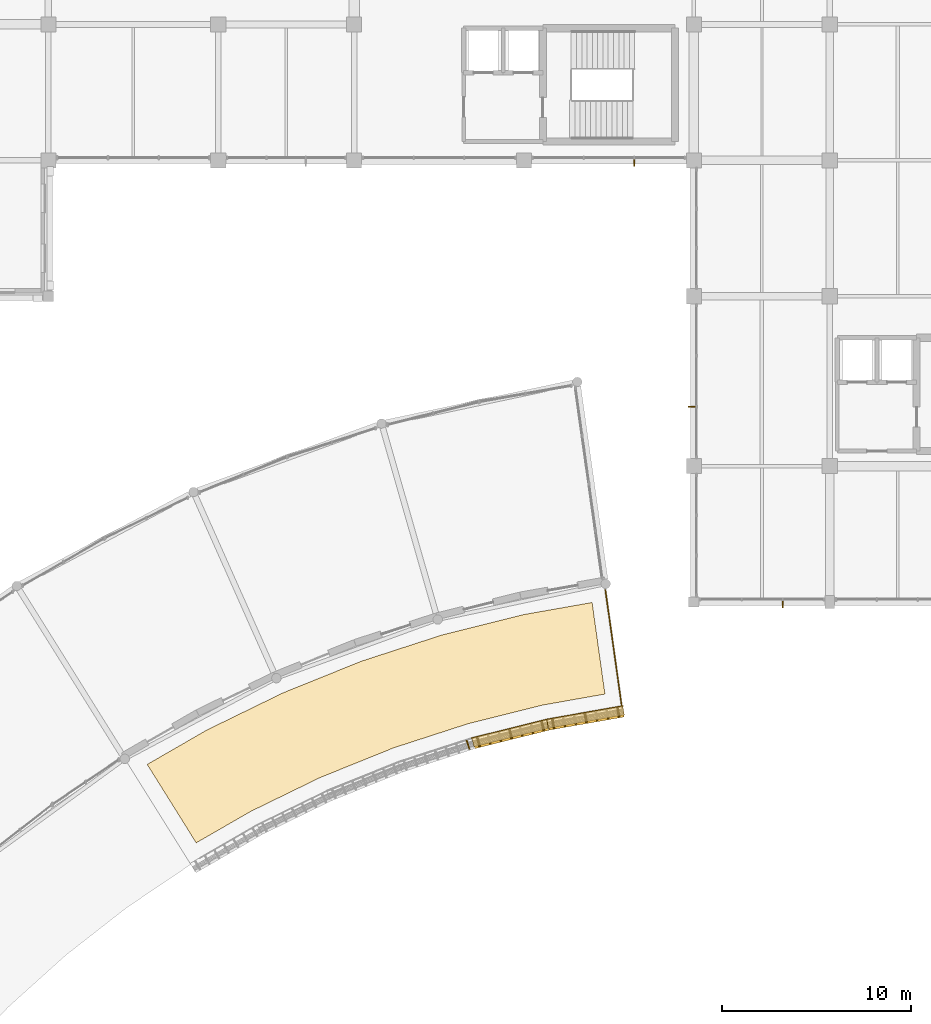
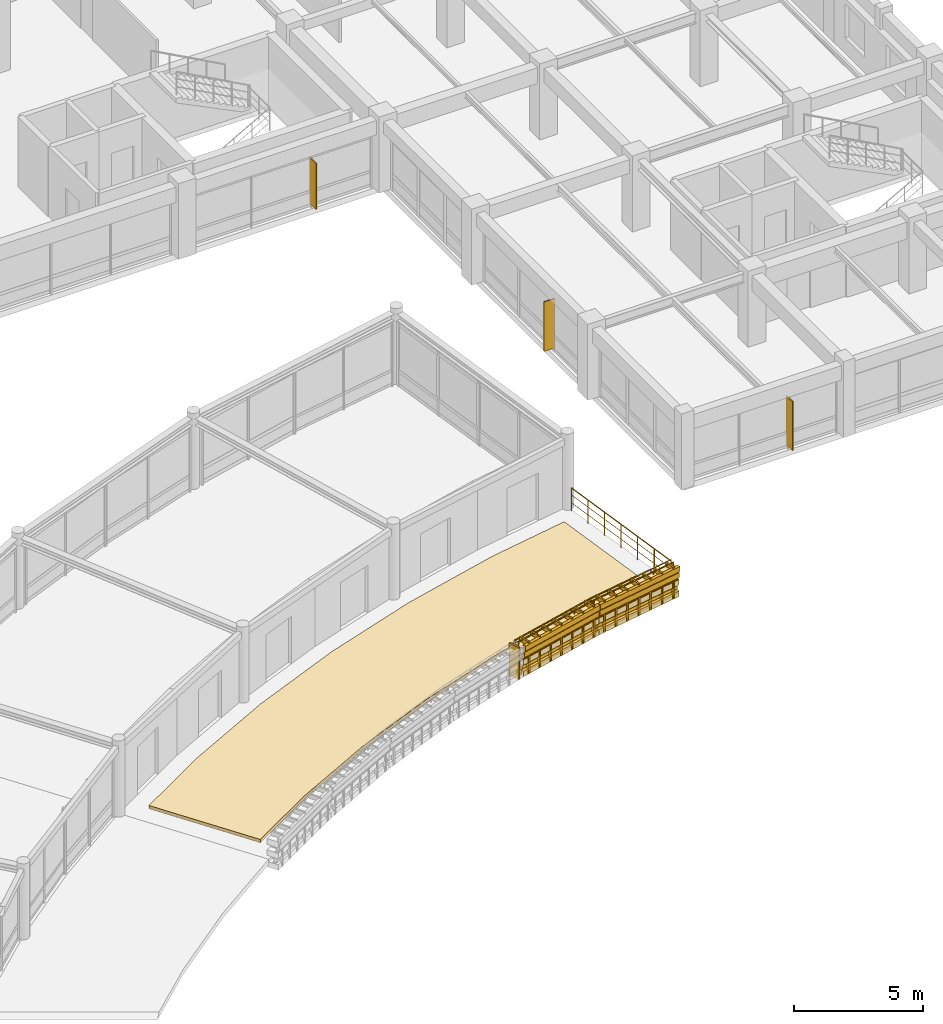
# One storey, part 73 of 74: 28 shading devices, 14 coverings, 5 railings.
"""IFC4 building model written with IfcOpenShell, lengths in metres."""

from ifc_helpers import new_model, si_unit, direction, frame, frame_2d, origin, origin_2d, place, context, subcontext, project, spatial, polyline, rectangle, circle, outline, extrude, material, layer, layer_set, type_object, element, save


model = new_model("IFC4")

# Units and contexts
model_context = context("Model", 3, precision=1e-05, world=origin(), true_north=direction((0.0, 1.0)))
body_context = subcontext(model_context, "Body", "Model", "MODEL_VIEW")
ifc_project = project(units=[si_unit("LENGTHUNIT", "METRE"), si_unit("AREAUNIT", "SQUARE_METRE"), si_unit("VOLUMEUNIT", "CUBIC_METRE"), si_unit("PLANEANGLEUNIT", "RADIAN"), si_unit("MASSUNIT", "GRAM", prefix="KILO")], contexts=[model_context])

# Site, building, storey
site_placement = place(None, origin())
site = spatial("IfcSite", under=ifc_project, at=site_placement, CompositionType="ELEMENT")
building_placement = place(site_placement, origin())
building = spatial("IfcBuilding", under=site, at=building_placement, Name="Clarverna Civic Hall", CompositionType="ELEMENT")
storey_placement = place(building_placement, frame((0.0, 0.0, 9.60009765625)))
storey = spatial("IfcBuildingStorey", under=building, at=storey_placement, Name="L02", CompositionType="ELEMENT", Elevation=9.60009765625)

# Coverings
ifc_material_1 = material(Name="Thermally Modified Teak Wood Slat Fascia Cladding", Category="wood")
ifc_layer_1 = layer(ifc_material_1, 0.080078125)
ifc_layer_set_1 = layer_set([ifc_layer_1], Name="Thermally Modified Teak Wood Slat Fascia Cladding")
covering_type_1 = type_object("IfcCoveringType", Name="CV-CL1", PredefinedType="CLADDING", material=ifc_layer_set_1)
for number, where, z_axis, x_axis, name in (
    (1, (143.875732421875, 65.852294921875, -0.380126953125), (0.0, 0.0, 1.0), (-0.984809986875, -0.173635508323, 0.0), "CV-CL1-093"),
    (2, (143.875732421875, 65.852294921875, 0.159912109375), (0.0, 0.0, 1.0), (-0.984809986875, -0.173635508323, 0.0), "CV-CL1-094"),
):
    element("IfcCovering", number, at=place(storey_placement, frame(where, z_axis=z_axis, x_axis=x_axis)), inside=storey, type_object=covering_type_1, Name=name, PredefinedType="CLADDING", context=body_context, shape_type="SweptSolid", body=[
        extrude(rectangle(XDim=4.090087890625, YDim=0.5, at=frame_2d((2.044921875, 0.0))), origin(), (0.0, 0.0, 1.0), 0.260009765625),
    ])
covering_1_placement = place(storey_placement, frame((143.875732421875, 65.852294921875, 0.679931640625), z_axis=(0.0, 0.0, 1.0), x_axis=(-0.984809986875, -0.173635508323, 0.0)))
element("IfcCovering", 3, at=covering_1_placement, inside=storey, type_object=covering_type_1, Name="CV-CL1-095", PredefinedType="CLADDING", context=body_context, shape_type="SweptSolid", body=[
    extrude(rectangle(XDim=4.090087890625, YDim=0.5, at=frame_2d((2.044921875, 0.0))), origin(), (0.0, 0.0, 1.0), 0.280029296875),
])
for number, where, z_axis, x_axis, name in (
    (4, (143.5498046875, 66.018310546875, -0.360107421875), (0.0, 0.0, 1.0), (0.173813186416, -0.984778643263, 0.0), "CV-CL1-096"),
    (5, (141.823486328125, 65.7138671875, -0.360107421875), (0.0, 0.0, 1.0), (0.173813186416, -0.984778643263, 0.0), "CV-CL1-097"),
    (6, (140.09716796875, 65.409423828125, -0.360107421875), (0.0, 0.0, 1.0), (0.173813186416, -0.984778643263, 0.0), "CV-CL1-098"),
):
    element("IfcCovering", number, at=place(storey_placement, frame(where, z_axis=z_axis, x_axis=x_axis)), inside=storey, type_object=covering_type_1, Name=name, PredefinedType="CLADDING", context=body_context, shape_type="SweptSolid", body=[
        extrude(rectangle(XDim=0.5, YDim=0.070068359375, at=frame_2d((0.25, 0.0))), origin(), (0.0, 0.0, 1.0), 1.52001953125),
    ])
for number, where, z_axis, x_axis, name in (
    (7, (139.85986328125, 65.144775390625, -0.380126953125), (0.0, 0.0, 1.0), (-0.970296791304, -0.241917623964, 0.0), "CV-CL1-099"),
    (8, (139.85986328125, 65.144775390625, 0.159912109375), (0.0, 0.0, 1.0), (-0.970296791304, -0.241917623964, 0.0), "CV-CL1-100"),
):
    element("IfcCovering", number, at=place(storey_placement, frame(where, z_axis=z_axis, x_axis=x_axis)), inside=storey, type_object=covering_type_1, Name=name, PredefinedType="CLADDING", context=body_context, shape_type="SweptSolid", body=[
        extrude(rectangle(XDim=4.09033203125, YDim=0.5, at=frame_2d((2.045166015625, 0.0))), origin(), (0.0, 0.0, 1.0), 0.260009765625),
    ])
covering_2_placement = place(storey_placement, frame((139.85986328125, 65.144775390625, 0.679931640625), z_axis=(0.0, 0.0, 1.0), x_axis=(-0.970296791304, -0.241917623964, 0.0)))
element("IfcCovering", 9, at=covering_2_placement, inside=storey, type_object=covering_type_1, Name="CV-CL1-101", PredefinedType="CLADDING", context=body_context, shape_type="SweptSolid", body=[
    extrude(rectangle(XDim=4.09033203125, YDim=0.5, at=frame_2d((2.045166015625, 0.0))), origin(), (0.0, 0.0, 1.0), 0.280029296875),
])
for number, where, z_axis, x_axis, name in (
    (10, (139.523193359375, 65.28759765625, -0.360107421875), (0.0, 0.0, 1.0), (0.242190935722, -0.970228607419, 0.0), "CV-CL1-102"),
    (11, (137.822509765625, 64.863525390625, -0.360107421875), (0.0, 0.0, 1.0), (0.241731207299, -0.970343250308, 0.0), "CV-CL1-103"),
    (12, (136.12158203125, 64.439453125, -0.360107421875), (0.0, 0.0, 1.0), (0.241731207299, -0.970343250308, 0.0), "CV-CL1-104"),
):
    element("IfcCovering", number, at=place(storey_placement, frame(where, z_axis=z_axis, x_axis=x_axis)), inside=storey, type_object=covering_type_1, Name=name, PredefinedType="CLADDING", context=body_context, shape_type="SweptSolid", body=[
        extrude(rectangle(XDim=0.5, YDim=0.070068359375, at=frame_2d((0.25, 0.0))), origin(), (0.0, 0.0, 1.0), 1.52001953125),
    ])
covering_3_placement = place(storey_placement, frame((135.5576171875, 64.277587890625, -0.360107421875), z_axis=(0.0, 0.0, 1.0), x_axis=(0.308743619968, -0.951145297591, 0.0)))
element("IfcCovering", 13, at=covering_3_placement, inside=storey, type_object=covering_type_1, Name="CV-CL1-108", PredefinedType="CLADDING", context=body_context, shape_type="SweptSolid", body=[
    extrude(rectangle(XDim=0.499755859375, YDim=0.070068359375, at=frame_2d((0.25, 0.0))), origin(), (0.0, 0.0, 1.0), 1.52001953125),
])
ifc_material_2 = material(Name="Planted Civic Terrace Vegetated Substrate and Drainage Build-Up")
ifc_layer_2 = layer(ifc_material_2, 0.25)
ifc_layer_set_2 = layer_set([ifc_layer_2], Name="Planted Civic Terrace Vegetated Substrate and Drainage Build-Up")
covering_type_2 = type_object("IfcCoveringType", Name="CV-RF1", PredefinedType="ROOFING", material=ifc_layer_set_2)
covering_4_placement = place(storey_placement, frame((0.0, 0.0, -0.02001953125)))
element("IfcCovering", 14, at=covering_4_placement, inside=storey, type_object=covering_type_2, Name="CV-RF1-008", PredefinedType="ROOFING", context=body_context, shape_type="SweptSolid", body=[
    extrude(outline(polyline([(131.69482421875, 63.87451171875), (127.79248046875, 62.2978515625), (124.116455078125, 60.504638671875), (121.232666015625, 58.842041015625), (118.63671875, 62.99658203125), (121.789794921875, 64.817138671875), (125.82666015625, 66.7861328125), (129.9912109375, 68.46875), (134.2626953125, 69.856689453125), (138.62109375, 70.943359375), (142.206787109375, 71.57568359375), (142.888427734375, 66.72412109375), (139.61083984375, 66.144287109375), (135.64208984375, 65.15478515625), (131.69482421875, 63.87451171875)])), origin(), (0.0, 0.0, 1.0), 0.159912109375),
])

# Railings
ifc_material_3 = material(Name="Anodised Bronze Architectural Balustrade")
railing_type_1 = type_object("IfcRailingType", Name="GR-01", PredefinedType="BALUSTRADE", material=ifc_material_3)
railing_1_placement = place(storey_placement, frame((142.910888671875, 72.239990234375, 0.0)))
element("IfcRailing", 15, at=railing_1_placement, inside=storey, type_object=railing_type_1, Name="GR-01-016", PredefinedType="BALUSTRADE", context=body_context, shape_type="SweptSolid", body=[
    extrude(circle(Radius=0.02392578125, at=origin_2d()), frame((0.0, 0.0, 1.09619140625), z_axis=(0.139216708696, -0.990261939095, 0.0), x_axis=(0.990261939095, 0.139216708696, 0.0)), (0.0, 0.0, 1.0), 6.27978515625),
    extrude(circle(Radius=0.011962890625, at=origin_2d()), frame((0.0, 0.0, 0.39208984375), z_axis=(0.139216708696, -0.990261939095, 0.0), x_axis=(0.990261939095, 0.139216708696, 0.0)), (0.0, 0.0, 1.0), 6.27978515625),
    extrude(circle(Radius=0.011962890625, at=origin_2d()), frame((0.0, 0.0, 0.76171875), z_axis=(0.139216708696, -0.990261939095, 0.0), x_axis=(0.990261939095, 0.139216708696, 0.0)), (0.0, 0.0, 1.0), 6.27978515625),
    extrude(circle(Radius=0.02099609375, at=origin_2d()), origin(), (0.0, 0.0, 1.0), 1.072021484375),
    extrude(circle(Radius=0.02099609375, at=origin_2d()), frame((0.145751953125, -1.036376953125, 0.0)), (0.0, 0.0, 1.0), 1.072021484375),
    extrude(circle(Radius=0.02099609375, at=origin_2d()), frame((0.29150390625, -2.072998046875, 0.0)), (0.0, 0.0, 1.0), 1.072021484375),
    extrude(circle(Radius=0.02099609375, at=origin_2d()), frame((0.43701171875, -3.109375, 0.0)), (0.0, 0.0, 1.0), 1.072021484375),
    extrude(circle(Radius=0.02099609375, at=origin_2d()), frame((0.582763671875, -4.145751953125, 0.0)), (0.0, 0.0, 1.0), 1.072021484375),
    extrude(circle(Radius=0.02099609375, at=origin_2d()), frame((0.728515625, -5.182373046875, 0.0)), (0.0, 0.0, 1.0), 1.072021484375),
    extrude(circle(Radius=0.02099609375, at=origin_2d()), frame((0.874267578125, -6.21875, 0.0)), (0.0, 0.0, 1.0), 1.072021484375),
])
railing_2_placement = place(storey_placement, frame((143.833984375, 66.0888671875, 0.0)))
element("IfcRailing", 16, at=railing_2_placement, inside=storey, type_object=railing_type_1, Name="GR-01-017", PredefinedType="BALUSTRADE", context=body_context, shape_type="SweptSolid", body=[
    extrude(circle(Radius=0.02392578125, at=origin_2d()), frame((0.0, 0.0, 1.09619140625), z_axis=(-0.984799778569, -0.173693396911, 0.0), x_axis=(0.173693396911, -0.984799778569, 0.0)), (0.0, 0.0, 1.0), 4.09033203125),
    extrude(circle(Radius=0.011962890625, at=origin_2d()), frame((0.0, 0.0, 0.39208984375), z_axis=(-0.984799778569, -0.173693396911, 0.0), x_axis=(0.173693396911, -0.984799778569, 0.0)), (0.0, 0.0, 1.0), 4.09033203125),
    extrude(circle(Radius=0.011962890625, at=origin_2d()), frame((0.0, 0.0, 0.76171875), z_axis=(-0.984799778569, -0.173693396911, 0.0), x_axis=(0.173693396911, -0.984799778569, 0.0)), (0.0, 0.0, 1.0), 4.09033203125),
    extrude(circle(Radius=0.02099609375, at=origin_2d()), origin(), (0.0, 0.0, 1.0), 1.072021484375),
    extrude(circle(Radius=0.02099609375, at=origin_2d()), frame((-1.007080078125, -0.177734375, 0.0)), (0.0, 0.0, 1.0), 1.072021484375),
    extrude(circle(Radius=0.02099609375, at=origin_2d()), frame((-2.01416015625, -0.355224609375, 0.0)), (0.0, 0.0, 1.0), 1.072021484375),
    extrude(circle(Radius=0.02099609375, at=origin_2d()), frame((-3.02099609375, -0.53271484375, 0.0)), (0.0, 0.0, 1.0), 1.072021484375),
    extrude(circle(Radius=0.02099609375, at=origin_2d()), frame((-4.028076171875, -0.71044921875, 0.0)), (0.0, 0.0, 1.0), 1.072021484375),
])
railing_3_placement = place(storey_placement, frame((139.802001953125, 65.377685546875, 0.0)))
element("IfcRailing", 17, at=railing_3_placement, inside=storey, type_object=railing_type_1, Name="GR-01-018", PredefinedType="BALUSTRADE", context=body_context, shape_type="SweptSolid", body=[
    extrude(circle(Radius=0.02392578125, at=origin_2d()), frame((0.0, 0.0, 1.09619140625), z_axis=(-0.970296791304, -0.241917623964, 0.0), x_axis=(0.241917623964, -0.970296791304, 0.0)), (0.0, 0.0, 1.0), 4.09033203125),
    extrude(circle(Radius=0.011962890625, at=origin_2d()), frame((0.0, 0.0, 0.39208984375), z_axis=(-0.970296791304, -0.241917623964, 0.0), x_axis=(0.241917623964, -0.970296791304, 0.0)), (0.0, 0.0, 1.0), 4.09033203125),
    extrude(circle(Radius=0.011962890625, at=origin_2d()), frame((0.0, 0.0, 0.76171875), z_axis=(-0.970296791304, -0.241917623964, 0.0), x_axis=(0.241917623964, -0.970296791304, 0.0)), (0.0, 0.0, 1.0), 4.09033203125),
    extrude(circle(Radius=0.02099609375, at=origin_2d()), origin(), (0.0, 0.0, 1.0), 1.072021484375),
    extrude(circle(Radius=0.02099609375, at=origin_2d()), frame((-0.9921875, -0.247314453125, 0.0)), (0.0, 0.0, 1.0), 1.072021484375),
    extrude(circle(Radius=0.02099609375, at=origin_2d()), frame((-1.984375, -0.49462890625, 0.0)), (0.0, 0.0, 1.0), 1.072021484375),
    extrude(circle(Radius=0.02099609375, at=origin_2d()), frame((-2.9765625, -0.7421875, 0.0)), (0.0, 0.0, 1.0), 1.072021484375),
    extrude(circle(Radius=0.02099609375, at=origin_2d()), frame((-3.96875, -0.989501953125, 0.0)), (0.0, 0.0, 1.0), 1.072021484375),
])
ifc_material_4 = material(Name="Thermally Modified Teak Wood Slat Fascia Rail", Category="wood")
railing_type_2 = type_object("IfcRailingType", Name="GR-03", PredefinedType="BALUSTRADE", material=ifc_material_4)
railing_4_placement = place(storey_placement, frame((143.835693359375, 65.90625, 0.0)))
element("IfcRailing", 18, at=railing_4_placement, inside=storey, type_object=railing_type_2, Name="GR-03-006", PredefinedType="BALUSTRADE", context=body_context, shape_type="SweptSolid", body=[
    extrude(circle(Radius=0.02392578125, at=origin_2d()), frame((0.0, 0.0, 1.09619140625), z_axis=(-0.984803067402, -0.173674748985, 0.0), x_axis=(0.173674748985, -0.984803067402, 0.0)), (0.0, 0.0, 1.0), 4.0302734375),
    extrude(circle(Radius=0.011962890625, at=origin_2d()), frame((0.0, 0.0, 0.39208984375), z_axis=(-0.984803067402, -0.173674748985, 0.0), x_axis=(0.173674748985, -0.984803067402, 0.0)), (0.0, 0.0, 1.0), 4.0302734375),
    extrude(circle(Radius=0.011962890625, at=origin_2d()), frame((0.0, 0.0, 0.76171875), z_axis=(-0.984803067402, -0.173674748985, 0.0), x_axis=(0.173674748985, -0.984803067402, 0.0)), (0.0, 0.0, 1.0), 4.0302734375),
    extrude(circle(Radius=0.02099609375, at=origin_2d()), origin(), (0.0, 0.0, 1.0), 1.072021484375),
    extrude(circle(Radius=0.02099609375, at=origin_2d()), frame((-0.9921875, -0.175048828125, 0.0)), (0.0, 0.0, 1.0), 1.072021484375),
    extrude(circle(Radius=0.02099609375, at=origin_2d()), frame((-1.984375, -0.35009765625, 0.0)), (0.0, 0.0, 1.0), 1.072021484375),
    extrude(circle(Radius=0.02099609375, at=origin_2d()), frame((-2.976806640625, -0.52490234375, 0.0)), (0.0, 0.0, 1.0), 1.072021484375),
    extrude(circle(Radius=0.02099609375, at=origin_2d()), frame((-3.968994140625, -0.699951171875, 0.0)), (0.0, 0.0, 1.0), 1.072021484375),
])
railing_5_placement = place(storey_placement, frame((139.81640625, 65.19580078125, 0.0)))
element("IfcRailing", 19, at=railing_5_placement, inside=storey, type_object=railing_type_2, Name="GR-03-007", PredefinedType="BALUSTRADE", context=body_context, shape_type="SweptSolid", body=[
    extrude(circle(Radius=0.02392578125, at=origin_2d()), frame((0.0, 0.0, 1.09619140625), z_axis=(-0.970291971588, -0.241936954334, 0.0), x_axis=(0.241936954334, -0.970291971588, 0.0)), (0.0, 0.0, 1.0), 4.0302734375),
    extrude(circle(Radius=0.011962890625, at=origin_2d()), frame((0.0, 0.0, 0.39208984375), z_axis=(-0.970291971588, -0.241936954334, 0.0), x_axis=(0.241936954334, -0.970291971588, 0.0)), (0.0, 0.0, 1.0), 4.0302734375),
    extrude(circle(Radius=0.011962890625, at=origin_2d()), frame((0.0, 0.0, 0.76171875), z_axis=(-0.970291971588, -0.241936954334, 0.0), x_axis=(0.241936954334, -0.970291971588, 0.0)), (0.0, 0.0, 1.0), 4.0302734375),
    extrude(circle(Radius=0.02099609375, at=origin_2d()), origin(), (0.0, 0.0, 1.0), 1.072021484375),
    extrude(circle(Radius=0.02099609375, at=origin_2d()), frame((-0.9775390625, -0.24365234375, 0.0)), (0.0, 0.0, 1.0), 1.072021484375),
    extrude(circle(Radius=0.02099609375, at=origin_2d()), frame((-1.955322265625, -0.487548828125, 0.0)), (0.0, 0.0, 1.0), 1.072021484375),
    extrude(circle(Radius=0.02099609375, at=origin_2d()), frame((-2.93310546875, -0.7314453125, 0.0)), (0.0, 0.0, 1.0), 1.072021484375),
    extrude(circle(Radius=0.02099609375, at=origin_2d()), frame((-3.91064453125, -0.97509765625, 0.0)), (0.0, 0.0, 1.0), 1.072021484375),
])

# Shading devices
ifc_material_5 = material(Name="Anodised Bronze Architectural Solar Fin", Category="aluminium")
ifc_layer_3 = layer(ifc_material_5, 0.054931640625)
ifc_layer_set_3 = layer_set([ifc_layer_3], Name="Anodised Bronze Architectural Solar Fin")
shading_device_type_1 = type_object("IfcShadingDeviceType", Name="SD-FN1", PredefinedType="USERDEFINED", material=ifc_layer_set_3)
shading_device_1_placement = place(storey_placement, frame((152.30078125, 71.77001953125, 0.14990234375), z_axis=(0.0, 0.0, 1.0), x_axis=(0.0, -1.0, 0.0)))
element("IfcShadingDevice", 20, at=shading_device_1_placement, inside=storey, type_object=shading_device_type_1, Name="SD-FN1-023", ObjectType="FIN", PredefinedType="USERDEFINED", context=body_context, shape_type="SweptSolid", body=[
    extrude(rectangle(XDim=0.47998046875, YDim=0.054931640625, at=frame_2d((0.239990234375, 0.0))), origin(), (0.0, 0.0, 1.0), 2.320068359375),
])
shading_device_2_placement = place(storey_placement, frame((147.77001953125, 81.957763671875, 0.14990234375), z_axis=(0.0, 0.0, 1.0), x_axis=(-1.0, 0.0, 0.0)))
element("IfcShadingDevice", 21, at=shading_device_2_placement, inside=storey, type_object=shading_device_type_1, Name="SD-FN1-024", ObjectType="FIN", PredefinedType="USERDEFINED", context=body_context, shape_type="SweptSolid", body=[
    extrude(rectangle(XDim=0.47998046875, YDim=0.054931640625, at=frame_2d((0.239990234375, 0.0))), origin(), (0.0, 0.0, 1.0), 2.340087890625),
])
shading_device_3_placement = place(storey_placement, frame((144.4423828125, 95.169921875, 0.14990234375), z_axis=(0.0, 0.0, 1.0), x_axis=(0.0, -1.0, 0.0)))
element("IfcShadingDevice", 22, at=shading_device_3_placement, inside=storey, type_object=shading_device_type_1, Name="SD-FN1-025", ObjectType="FIN", PredefinedType="USERDEFINED", context=body_context, shape_type="SweptSolid", body=[
    extrude(rectangle(XDim=0.47998046875, YDim=0.054931640625, at=frame_2d((0.239990234375, 0.0))), origin(), (0.0, 0.0, 1.0), 2.169921875),
])
ifc_material_6 = material(Name="Thermally Modified Teak Wood Slats", Category="wood")
ifc_layer_4 = layer(ifc_material_6, 0.06494140625)
ifc_layer_set_4 = layer_set([ifc_layer_4], Name="Thermally Modified Teak Wood Slats")
shading_device_type_2 = type_object("IfcShadingDeviceType", Name="SD-WD1", PredefinedType="JALOUSIE", material=ifc_layer_set_4)
shading_device_4_placement = place(storey_placement, frame((143.853271484375, 65.807861328125, -0.360107421875), z_axis=(0.0, 0.0, 1.0), x_axis=(-0.984804894423, -0.173664388751, 0.0)))
element("IfcShadingDevice", 23, at=shading_device_4_placement, inside=storey, type_object=shading_device_type_2, Name="SD-WD1-067", PredefinedType="JALOUSIE", context=body_context, shape_type="SweptSolid", body=[
    extrude(rectangle(XDim=4.030517578125, YDim=0.139892578125, at=frame_2d((2.01513671875, 0.0))), origin(), (0.0, 0.0, 1.0), 0.239990234375),
])
for number, where, z_axis, x_axis, name in (
    (24, (143.863525390625, 65.748779296875, -0.080078125), (0.0, 0.0, 1.0), (-0.984803067402, -0.173674748985, 0.0), "SD-WD1-068"),
    (25, (143.8740234375, 65.689697265625, 0.219970703125), (0.0, 0.0, 1.0), (-0.984803067402, -0.173674748985, 0.0), "SD-WD1-069"),
):
    element("IfcShadingDevice", number, at=place(storey_placement, frame(where, z_axis=z_axis, x_axis=x_axis)), inside=storey, type_object=shading_device_type_2, Name=name, PredefinedType="JALOUSIE", context=body_context, shape_type="SweptSolid", body=[
        extrude(rectangle(XDim=4.0302734375, YDim=0.139892578125, at=frame_2d((2.01513671875, 0.0))), origin(), (0.0, 0.0, 1.0), 0.239990234375),
    ])
shading_device_5_placement = place(storey_placement, frame((143.884521484375, 65.630615234375, 0.539794921875), z_axis=(0.0, 0.0, 1.0), x_axis=(-0.984804894423, -0.173664388751, 0.0)))
element("IfcShadingDevice", 26, at=shading_device_5_placement, inside=storey, type_object=shading_device_type_2, Name="SD-WD1-070", PredefinedType="JALOUSIE", context=body_context, shape_type="SweptSolid", body=[
    extrude(rectangle(XDim=4.030517578125, YDim=0.139892578125, at=frame_2d((2.01513671875, 0.0))), origin(), (0.0, 0.0, 1.0), 0.239990234375),
])
shading_device_6_placement = place(storey_placement, frame((143.89306640625, 65.581298828125, 0.85986328125), z_axis=(0.0, 0.0, 1.0), x_axis=(-0.984803067402, -0.173674748985, 0.0)))
element("IfcShadingDevice", 27, at=shading_device_6_placement, inside=storey, type_object=shading_device_type_2, Name="SD-WD1-071", PredefinedType="JALOUSIE", context=body_context, shape_type="SweptSolid", body=[
    extrude(rectangle(XDim=4.0302734375, YDim=0.139892578125, at=frame_2d((2.01513671875, 0.0))), origin(), (0.0, 0.0, 1.0), 0.239990234375),
])
for number, where, z_axis, x_axis, name in (
    (28, (143.5498046875, 66.018310546875, -0.360107421875), (0.0, 0.0, 1.0), (0.173813186416, -0.984778643263, 0.0), "SD-WD1-072"),
    (29, (142.974365234375, 65.9169921875, -0.360107421875), (0.0, 0.0, 1.0), (0.173813186416, -0.984778643263, 0.0), "SD-WD1-073"),
    (30, (142.39892578125, 65.8154296875, -0.360107421875), (0.0, 0.0, 1.0), (0.173339637113, -0.984862107204, 0.0), "SD-WD1-074"),
    (31, (141.823486328125, 65.7138671875, -0.360107421875), (0.0, 0.0, 1.0), (0.173813186416, -0.984778643263, 0.0), "SD-WD1-075"),
    (32, (141.248046875, 65.612548828125, -0.360107421875), (0.0, 0.0, 1.0), (0.173813186416, -0.984778643263, 0.0), "SD-WD1-076"),
    (33, (140.672607421875, 65.510986328125, -0.360107421875), (0.0, 0.0, 1.0), (0.173813186416, -0.984778643263, 0.0), "SD-WD1-077"),
    (34, (140.09716796875, 65.409423828125, -0.360107421875), (0.0, 0.0, 1.0), (0.173813186416, -0.984778643263, 0.0), "SD-WD1-078"),
):
    element("IfcShadingDevice", number, at=place(storey_placement, frame(where, z_axis=z_axis, x_axis=x_axis)), inside=storey, type_object=shading_device_type_2, Name=name, PredefinedType="JALOUSIE", context=body_context, shape_type="SweptSolid", body=[
        extrude(rectangle(XDim=0.5, YDim=0.06494140625, at=frame_2d((0.25, 0.0))), origin(), (0.0, 0.0, 1.0), 1.5),
    ])
shading_device_7_placement = place(storey_placement, frame((139.840576171875, 65.0986328125, -0.360107421875), z_axis=(0.0, 0.0, 1.0), x_axis=(-0.970306190094, -0.241879923651, 0.0)))
element("IfcShadingDevice", 35, at=shading_device_7_placement, inside=storey, type_object=shading_device_type_2, Name="SD-WD1-079", PredefinedType="JALOUSIE", context=body_context, shape_type="SweptSolid", body=[
    extrude(rectangle(XDim=4.0302734375, YDim=0.139892578125, at=frame_2d((2.01513671875, 0.0))), origin(), (0.0, 0.0, 1.0), 0.239990234375),
])
for number, where, z_axis, x_axis, name in (
    (36, (139.85498046875, 65.04052734375, -0.080078125), (0.0, 0.0, 1.0), (-0.970288425603, -0.241951175118, 0.0), "SD-WD1-080"),
    (37, (139.869384765625, 64.982177734375, 0.219970703125), (0.0, 0.0, 1.0), (-0.970302645729, -0.241894141499, 0.0), "SD-WD1-081"),
    (38, (139.884033203125, 64.924072265625, 0.539794921875), (0.0, 0.0, 1.0), (-0.970288425603, -0.241951175118, 0.0), "SD-WD1-082"),
):
    element("IfcShadingDevice", number, at=place(storey_placement, frame(where, z_axis=z_axis, x_axis=x_axis)), inside=storey, type_object=shading_device_type_2, Name=name, PredefinedType="JALOUSIE", context=body_context, shape_type="SweptSolid", body=[
        extrude(rectangle(XDim=4.030029296875, YDim=0.139892578125, at=frame_2d((2.01513671875, 0.0))), origin(), (0.0, 0.0, 1.0), 0.239990234375),
    ])
shading_device_8_placement = place(storey_placement, frame((139.896240234375, 64.87548828125, 0.85986328125), z_axis=(0.0, 0.0, 1.0), x_axis=(-0.970291971588, -0.241936954334, 0.0)))
element("IfcShadingDevice", 39, at=shading_device_8_placement, inside=storey, type_object=shading_device_type_2, Name="SD-WD1-083", PredefinedType="JALOUSIE", context=body_context, shape_type="SweptSolid", body=[
    extrude(rectangle(XDim=4.0302734375, YDim=0.139892578125, at=frame_2d((2.01513671875, 0.0))), origin(), (0.0, 0.0, 1.0), 0.239990234375),
])
for number, where, z_axis, x_axis, name in (
    (40, (139.523193359375, 65.28759765625, -0.360107421875), (0.0, 0.0, 1.0), (0.242190935722, -0.970228607419, 0.0), "SD-WD1-084"),
    (41, (138.956298828125, 65.146240234375, -0.360107421875), (0.0, 0.0, 1.0), (0.242190935722, -0.970228607419, 0.0), "SD-WD1-085"),
    (42, (138.389404296875, 65.0048828125, -0.360107421875), (0.0, 0.0, 1.0), (0.241731207299, -0.970343250308, 0.0), "SD-WD1-086"),
    (43, (137.822509765625, 64.863525390625, -0.360107421875), (0.0, 0.0, 1.0), (0.241731207299, -0.970343250308, 0.0), "SD-WD1-087"),
    (44, (137.25537109375, 64.72216796875, -0.360107421875), (0.0, 0.0, 1.0), (0.242190935722, -0.970228607419, 0.0), "SD-WD1-088"),
    (45, (136.6884765625, 64.580810546875, -0.360107421875), (0.0, 0.0, 1.0), (0.242190935722, -0.970228607419, 0.0), "SD-WD1-089"),
    (46, (136.12158203125, 64.439453125, -0.360107421875), (0.0, 0.0, 1.0), (0.241731207299, -0.970343250308, 0.0), "SD-WD1-090"),
):
    element("IfcShadingDevice", number, at=place(storey_placement, frame(where, z_axis=z_axis, x_axis=x_axis)), inside=storey, type_object=shading_device_type_2, Name=name, PredefinedType="JALOUSIE", context=body_context, shape_type="SweptSolid", body=[
        extrude(rectangle(XDim=0.5, YDim=0.06494140625, at=frame_2d((0.25, 0.0))), origin(), (0.0, 0.0, 1.0), 1.5),
    ])
shading_device_9_placement = place(storey_placement, frame((135.5576171875, 64.277587890625, -0.360107421875), z_axis=(0.0, 0.0, 1.0), x_axis=(0.308743619968, -0.951145297591, 0.0)))
element("IfcShadingDevice", 47, at=shading_device_9_placement, inside=storey, type_object=shading_device_type_2, Name="SD-WD1-096", PredefinedType="JALOUSIE", context=body_context, shape_type="SweptSolid", body=[
    extrude(rectangle(XDim=0.499755859375, YDim=0.06494140625, at=frame_2d((0.25, 0.0))), origin(), (0.0, 0.0, 1.0), 1.5),
])

save(model, "model.ifc")
